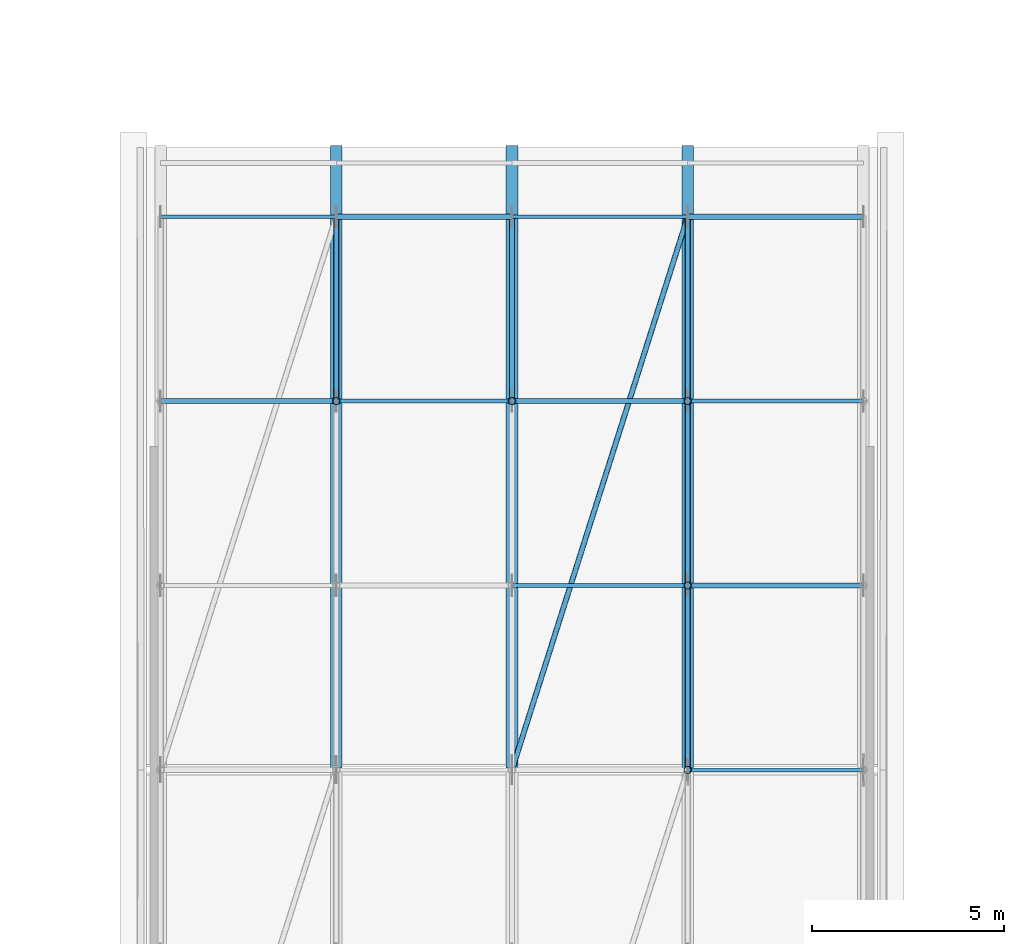
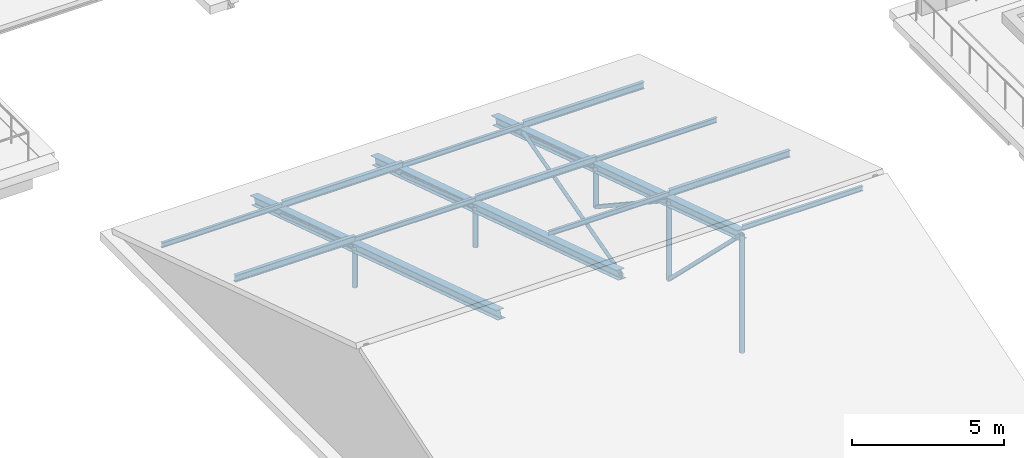
# One storey, part 29 of 134: 25 members.
"""IFC4 building model written with IfcOpenShell, lengths in metres."""

from ifc_helpers import new_model, si_unit, direction, frame, origin, origin_2d, place, context, subcontext, project, spatial, hollow_rectangle, hollow_circle, i_section, extrude, material, material_profile, profile_set, type_object, element, save


model = new_model("IFC4")

# Units and contexts
model_context = context("Model", 3, precision=1e-05, world=origin(), true_north=direction((0.0, 1.0)))
body_context = subcontext(model_context, "Body", "Model", "MODEL_VIEW")
ifc_project = project(units=[si_unit("LENGTHUNIT", "METRE"), si_unit("AREAUNIT", "SQUARE_METRE"), si_unit("VOLUMEUNIT", "CUBIC_METRE"), si_unit("PLANEANGLEUNIT", "RADIAN"), si_unit("MASSUNIT", "GRAM", prefix="KILO")], contexts=[model_context])

# Site, building, storey
site_placement = place(None, origin())
site = spatial("IfcSite", under=ifc_project, at=site_placement, CompositionType="ELEMENT")
building_placement = place(site_placement, origin())
building = spatial("IfcBuilding", under=site, at=building_placement, Name="Asteropetra Specialist Clinic", CompositionType="ELEMENT")
storey_placement = place(building_placement, frame((0.0, 0.0, 8.5)))
storey = spatial("IfcBuildingStorey", under=building, at=storey_placement, Name="L02", CompositionType="ELEMENT", Elevation=8.5)

# Members
ifc_material_1 = material(Name="Steel S355", Category="steel")
ifc_material_profile_1 = material_profile(ifc_material_1, hollow_circle(Radius=0.06982421875, WallThickness=0.008056640625, at=origin_2d()), Name="CHS 139.7x8.0")
ifc_profile_set_1 = profile_set([ifc_material_profile_1], Name="Steel S355")
member_type_1 = type_object("IfcMemberType", Name="TR-BRC-CHS139", PredefinedType="BRACE", material=ifc_profile_set_1)
member_1_placement = place(storey_placement, frame((86.39990234375, 48.0, 5.06689453125), z_axis=(0.289560397867, 0.911358131642, -0.292542530032), x_axis=(-0.953051750975, 0.302807463519, 0.0)))
element("IfcMember", 1, at=member_1_placement, inside=storey, type_object=member_type_1, Name="Roof Wind Brace TRV3-RB2-03", PredefinedType="BRACE", context=body_context, shape_type="SweptSolid", body=[
    extrude(hollow_circle(Radius=0.06982421875, WallThickness=0.008056640625, at=origin_2d()), origin(), (0.0, 0.0, 1.0), 15.800537109375),
])
ifc_material_2 = material(Name="Steel S355", Category="steel")
ifc_material_profile_2 = material_profile(ifc_material_2, hollow_rectangle(XDim=0.139892578125, YDim=0.139892578125, WallThickness=0.008056640625, InnerFilletRadius=0.008056640625, OuterFilletRadius=0.01611328125, at=origin_2d()), Name="SHS 140x140x8.0")
ifc_profile_set_2 = profile_set([ifc_material_profile_2], Name="Steel S355")
member_type_2 = type_object("IfcMemberType", Name="TR-BRC-SHS140", PredefinedType="BRACE", material=ifc_profile_set_2)
member_2_placement = place(storey_placement, frame((81.824951171875, 57.60009765625, 1.9853515625), z_axis=(0.0, 0.946866645614, -0.321626422147), x_axis=(-1.0, 0.0, 0.0)))
element("IfcMember", 2, at=member_2_placement, inside=storey, type_object=member_type_2, Name="Truss Web Diagonal TRV3-D02-5", PredefinedType="BRACE", context=body_context, shape_type="SweptSolid", body=[
    extrude(hollow_rectangle(XDim=0.139892578125, YDim=0.139892578125, WallThickness=0.008056640625, InnerFilletRadius=0.008056640625, OuterFilletRadius=0.01611328125, at=origin_2d()), origin(), (0.0, 0.0, 1.0), 5.069091796875),
])
member_3_placement = place(storey_placement, frame((86.39990234375, 57.60009765625, 1.9853515625), z_axis=(0.0, 0.94746672286, -0.319854356034), x_axis=(-1.0, 0.0, 0.0)))
element("IfcMember", 3, at=member_3_placement, inside=storey, type_object=member_type_2, Name="Truss Web Diagonal TRV3-D03-5", PredefinedType="BRACE", context=body_context, shape_type="SweptSolid", body=[
    extrude(hollow_rectangle(XDim=0.139892578125, YDim=0.139892578125, WallThickness=0.008056640625, InnerFilletRadius=0.008056640625, OuterFilletRadius=0.01611328125, at=origin_2d()), origin(), (0.0, 0.0, 1.0), 5.06591796875),
])
member_4_placement = place(storey_placement, frame((90.97509765625, 48.0, 5.06689453125), z_axis=(0.0, 0.713627970666, -0.700524888554), x_axis=(-1.0, 0.0, 0.0)))
element("IfcMember", 4, at=member_4_placement, inside=storey, type_object=member_type_2, Name="Truss Web Diagonal TRV3-D04-3", PredefinedType="BRACE", context=body_context, shape_type="SweptSolid", body=[
    extrude(hollow_rectangle(XDim=0.139892578125, YDim=0.139892578125, WallThickness=0.008056640625, InnerFilletRadius=0.008056640625, OuterFilletRadius=0.01611328125, at=origin_2d()), origin(), (0.0, 0.0, 1.0), 6.726318359375),
])
member_5_placement = place(storey_placement, frame((90.97509765625, 52.800048828125, 3.526123046875), z_axis=(0.0, 0.834360763343, -0.551218755662), x_axis=(-1.0, 0.0, 0.0)))
element("IfcMember", 5, at=member_5_placement, inside=storey, type_object=member_type_2, Name="Truss Web Diagonal TRV3-D04-4", PredefinedType="BRACE", context=body_context, shape_type="SweptSolid", body=[
    extrude(hollow_rectangle(XDim=0.139892578125, YDim=0.139892578125, WallThickness=0.008056640625, InnerFilletRadius=0.008056640625, OuterFilletRadius=0.01611328125, at=origin_2d()), origin(), (0.0, 0.0, 1.0), 5.7529296875),
])
member_6_placement = place(storey_placement, frame((90.97509765625, 57.60009765625, 1.9853515625), z_axis=(0.0, 0.946866645614, -0.321626422147), x_axis=(-1.0, 0.0, 0.0)))
element("IfcMember", 6, at=member_6_placement, inside=storey, type_object=member_type_2, Name="Truss Web Diagonal TRV3-D04-5", PredefinedType="BRACE", context=body_context, shape_type="SweptSolid", body=[
    extrude(hollow_rectangle(XDim=0.139892578125, YDim=0.139892578125, WallThickness=0.008056640625, InnerFilletRadius=0.008056640625, OuterFilletRadius=0.01611328125, at=origin_2d()), origin(), (0.0, 0.0, 1.0), 5.069091796875),
])
ifc_material_3 = material(Name="Steel S355", Category="steel")
ifc_material_profile_3 = material_profile(ifc_material_3, i_section(OverallWidth=0.300048828125, OverallDepth=0.35009765625, WebThickness=0.010009765625, FlangeThickness=0.017578125, FilletRadius=0.027099609375, at=origin_2d()), Name="HEA 360")
ifc_profile_set_3 = profile_set([ifc_material_profile_3], Name="Steel S355")
member_type_3 = type_object("IfcMemberType", Name="TR-CHD-HEA360", PredefinedType="CHORD", material=ifc_profile_set_3)
for number, where, z_axis, x_axis, name in (
    (7, (81.824951171875, 48.0, 5.06689453125), (0.0, 0.952147182359, -0.305639891255), (-1.0, 0.0, 0.0), "Truss North Top Chord TRV3-TCN02"),
    (8, (86.39990234375, 48.0, 5.06689453125), (0.0, 0.952147182359, -0.305639891255), (-1.0, 0.0, 0.0), "Truss North Top Chord TRV3-TCN03"),
    (9, (90.97509765625, 48.0, 5.06689453125), (0.0, 0.952147182359, -0.305639891255), (-1.0, 0.0, 0.0), "Truss North Top Chord TRV3-TCN04"),
):
    element("IfcMember", number, at=place(storey_placement, frame(where, z_axis=z_axis, x_axis=x_axis)), inside=storey, type_object=member_type_3, Name=name, PredefinedType="CHORD", context=body_context, shape_type="SweptSolid", body=[
        extrude(i_section(OverallWidth=0.300048828125, OverallDepth=0.35009765625, WebThickness=0.010009765625, FlangeThickness=0.017578125, FilletRadius=0.027099609375, at=origin_2d()), origin(), (0.0, 0.0, 1.0), 17.01416015625),
    ])
ifc_material_4 = material(Name="Steel S355", Category="steel")
ifc_material_profile_4 = material_profile(ifc_material_4, i_section(OverallWidth=0.10009765625, OverallDepth=0.199951171875, WebThickness=0.005615234375, FlangeThickness=0.008544921875, FilletRadius=0.011962890625, at=origin_2d()), Name="IPE 200")
ifc_profile_set_4 = profile_set([ifc_material_profile_4], Name="Steel S355")
member_type_4 = type_object("IfcMemberType", Name="TR-PUR-IPE200", PredefinedType="PURLIN", material=ifc_profile_set_4)
for number, where, z_axis, x_axis, name in (
    (10, (77.25, 62.39990234375, 0.714599609375), (1.0, 0.0, 0.0), (0.0, 1.0, 0.0), "Roof Purlin TRV3-P01-08"),
    (11, (81.824951171875, 57.60009765625, 2.25537109375), (1.0, 0.0, 0.0), (0.0, 1.0, 0.0), "Roof Purlin TRV3-P02-07"),
):
    element("IfcMember", number, at=place(storey_placement, frame(where, z_axis=z_axis, x_axis=x_axis)), inside=storey, type_object=member_type_4, Name=name, PredefinedType="PURLIN", context=body_context, shape_type="SweptSolid", body=[
        extrude(i_section(OverallWidth=0.10009765625, OverallDepth=0.199951171875, WebThickness=0.005615234375, FlangeThickness=0.008544921875, FilletRadius=0.011962890625, at=origin_2d()), origin(), (0.0, 0.0, 1.0), 4.574951171875),
    ])
for number, where, z_axis, x_axis, name in (
    (12, (86.39990234375, 52.800048828125, 3.796142578125), (1.0, 0.0, 0.0), (0.0, 1.0, 0.0), "Roof Purlin TRV3-P03-06"),
    (13, (86.39990234375, 62.39990234375, 0.714599609375), (1.0, 0.0, 0.0), (0.0, 1.0, 0.0), "Roof Purlin TRV3-P03-08"),
):
    element("IfcMember", number, at=place(storey_placement, frame(where, z_axis=z_axis, x_axis=x_axis)), inside=storey, type_object=member_type_4, Name=name, PredefinedType="PURLIN", context=body_context, shape_type="SweptSolid", body=[
        extrude(i_section(OverallWidth=0.10009765625, OverallDepth=0.199951171875, WebThickness=0.005615234375, FlangeThickness=0.008544921875, FilletRadius=0.011962890625, at=origin_2d()), origin(), (0.0, 0.0, 1.0), 4.5751953125),
    ])
for number, where, z_axis, x_axis, name in (
    (14, (90.97509765625, 48.0, 5.3369140625), (1.0, 0.0, 0.0), (0.0, 1.0, 0.0), "Roof Purlin TRV3-P04-05"),
    (15, (90.97509765625, 57.60009765625, 2.25537109375), (1.0, 0.0, 0.0), (0.0, 1.0, 0.0), "Roof Purlin TRV3-P04-07"),
):
    element("IfcMember", number, at=place(storey_placement, frame(where, z_axis=z_axis, x_axis=x_axis)), inside=storey, type_object=member_type_4, Name=name, PredefinedType="PURLIN", context=body_context, shape_type="SweptSolid", body=[
        extrude(i_section(OverallWidth=0.10009765625, OverallDepth=0.199951171875, WebThickness=0.005615234375, FlangeThickness=0.008544921875, FilletRadius=0.011962890625, at=origin_2d()), origin(), (0.0, 0.0, 1.0), 4.574951171875),
    ])
ifc_material_5 = material(Name="Steel S355", Category="steel")
ifc_material_profile_5 = material_profile(ifc_material_5, i_section(OverallWidth=0.135009765625, OverallDepth=0.27001953125, WebThickness=0.006591796875, FlangeThickness=0.01025390625, FilletRadius=0.014892578125, at=origin_2d()), Name="IPE 270")
ifc_profile_set_5 = profile_set([ifc_material_profile_5], Name="Steel S355")
member_type_5 = type_object("IfcMemberType", Name="TR-PUR-IPE270", PredefinedType="PURLIN", material=ifc_profile_set_5)
for number, where, z_axis, x_axis, name in (
    (16, (77.25, 57.60009765625, 2.290283203125), (1.0, 0.0, 0.0), (0.0, 1.0, 0.0), "Roof Purlin TRV3-P01-07"),
    (17, (81.824951171875, 62.39990234375, 0.74951171875), (1.0, 0.0, 0.0), (0.0, 1.0, 0.0), "Roof Purlin TRV3-P02-08"),
):
    element("IfcMember", number, at=place(storey_placement, frame(where, z_axis=z_axis, x_axis=x_axis)), inside=storey, type_object=member_type_5, Name=name, PredefinedType="PURLIN", context=body_context, shape_type="SweptSolid", body=[
        extrude(i_section(OverallWidth=0.135009765625, OverallDepth=0.27001953125, WebThickness=0.006591796875, FlangeThickness=0.01025390625, FilletRadius=0.014892578125, at=origin_2d()), origin(), (0.0, 0.0, 1.0), 4.574951171875),
    ])
member_7_placement = place(storey_placement, frame((86.39990234375, 57.60009765625, 2.290283203125), z_axis=(1.0, 0.0, 0.0), x_axis=(0.0, 1.0, 0.0)))
element("IfcMember", 18, at=member_7_placement, inside=storey, type_object=member_type_5, Name="Roof Purlin TRV3-P03-07", PredefinedType="PURLIN", context=body_context, shape_type="SweptSolid", body=[
    extrude(i_section(OverallWidth=0.135009765625, OverallDepth=0.27001953125, WebThickness=0.006591796875, FlangeThickness=0.01025390625, FilletRadius=0.014892578125, at=origin_2d()), origin(), (0.0, 0.0, 1.0), 4.5751953125),
])
for number, where, z_axis, x_axis, name in (
    (19, (90.97509765625, 52.800048828125, 3.8310546875), (1.0, 0.0, 0.0), (0.0, 1.0, 0.0), "Roof Purlin TRV3-P04-06"),
    (20, (90.97509765625, 62.39990234375, 0.74951171875), (1.0, 0.0, 0.0), (0.0, 1.0, 0.0), "Roof Purlin TRV3-P04-08"),
):
    element("IfcMember", number, at=place(storey_placement, frame(where, z_axis=z_axis, x_axis=x_axis)), inside=storey, type_object=member_type_5, Name=name, PredefinedType="PURLIN", context=body_context, shape_type="SweptSolid", body=[
        extrude(i_section(OverallWidth=0.135009765625, OverallDepth=0.27001953125, WebThickness=0.006591796875, FlangeThickness=0.01025390625, FilletRadius=0.014892578125, at=origin_2d()), origin(), (0.0, 0.0, 1.0), 4.574951171875),
    ])
ifc_material_6 = material(Name="Steel S355", Category="steel")
ifc_material_profile_6 = material_profile(ifc_material_6, hollow_circle(Radius=0.096923828125, WallThickness=0.010009765625, at=origin_2d()), Name="CHS 193.7x10.0")
ifc_profile_set_6 = profile_set([ifc_material_profile_6], Name="Steel S355")
member_type_6 = type_object("IfcMemberType", Name="TR-STR-CHS193", PredefinedType="STRUT", material=ifc_profile_set_6)
member_8_placement = place(storey_placement, frame((81.824951171875, 57.60009765625, 0.35498046875), z_axis=(0.0, 0.0, 1.0), x_axis=(1.0, 0.0, 0.0)))
element("IfcMember", 21, at=member_8_placement, inside=storey, type_object=member_type_6, Name="Truss Web Strut TRV3-V02-5", PredefinedType="STRUT", context=body_context, shape_type="SweptSolid", body=[
    extrude(hollow_circle(Radius=0.096923828125, WallThickness=0.010009765625, at=origin_2d()), origin(), (0.0, 0.0, 1.0), 1.63037109375),
])
member_9_placement = place(storey_placement, frame((86.39990234375, 57.60009765625, 0.364990234375), z_axis=(0.0, 0.0, 1.0), x_axis=(1.0, 0.0, 0.0)))
element("IfcMember", 22, at=member_9_placement, inside=storey, type_object=member_type_6, Name="Truss Web Strut TRV3-V03-5", PredefinedType="STRUT", context=body_context, shape_type="SweptSolid", body=[
    extrude(hollow_circle(Radius=0.096923828125, WallThickness=0.010009765625, at=origin_2d()), origin(), (0.0, 0.0, 1.0), 1.620361328125),
])
member_10_placement = place(storey_placement, frame((90.97509765625, 48.0, 0.35498046875), z_axis=(0.0, 0.0, 1.0), x_axis=(1.0, 0.0, 0.0)))
element("IfcMember", 23, at=member_10_placement, inside=storey, type_object=member_type_6, Name="Truss Web Strut TRV3-V04-3", PredefinedType="STRUT", context=body_context, shape_type="SweptSolid", body=[
    extrude(hollow_circle(Radius=0.096923828125, WallThickness=0.010009765625, at=origin_2d()), origin(), (0.0, 0.0, 1.0), 4.7119140625),
])
member_11_placement = place(storey_placement, frame((90.97509765625, 52.800048828125, 0.35498046875), z_axis=(0.0, 0.0, 1.0), x_axis=(1.0, 0.0, 0.0)))
element("IfcMember", 24, at=member_11_placement, inside=storey, type_object=member_type_6, Name="Truss Web Strut TRV3-V04-4", PredefinedType="STRUT", context=body_context, shape_type="SweptSolid", body=[
    extrude(hollow_circle(Radius=0.096923828125, WallThickness=0.010009765625, at=origin_2d()), origin(), (0.0, 0.0, 1.0), 3.171142578125),
])
member_12_placement = place(storey_placement, frame((90.97509765625, 57.60009765625, 0.35498046875), z_axis=(0.0, 0.0, 1.0), x_axis=(1.0, 0.0, 0.0)))
element("IfcMember", 25, at=member_12_placement, inside=storey, type_object=member_type_6, Name="Truss Web Strut TRV3-V04-5", PredefinedType="STRUT", context=body_context, shape_type="SweptSolid", body=[
    extrude(hollow_circle(Radius=0.096923828125, WallThickness=0.010009765625, at=origin_2d()), origin(), (0.0, 0.0, 1.0), 1.63037109375),
])

save(model, "model.ifc")
